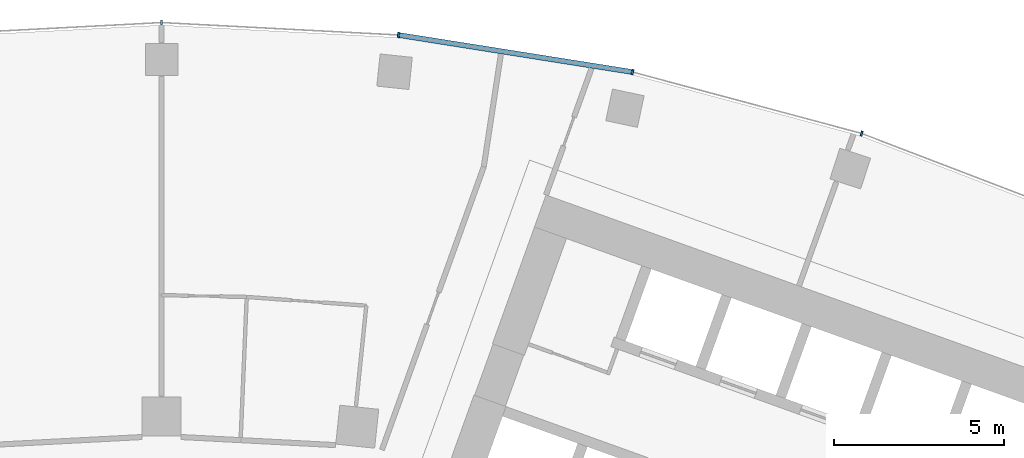
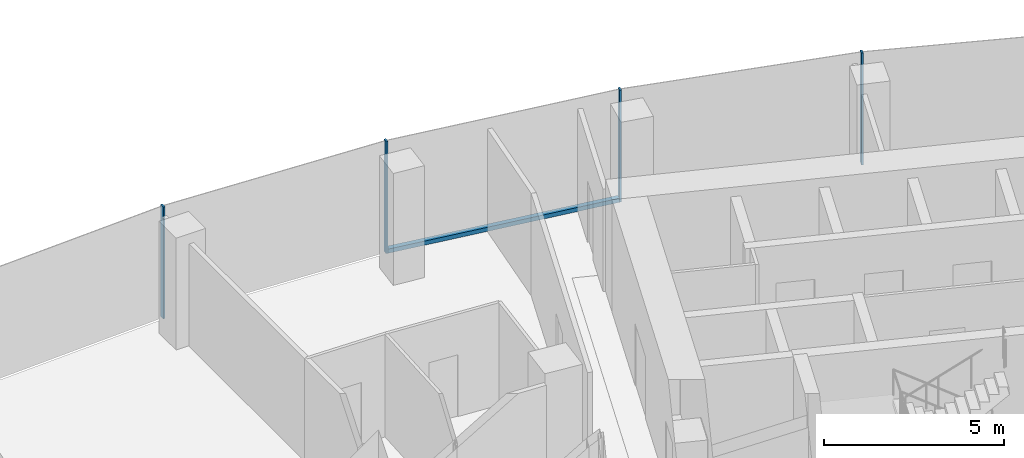
# One storey, part 6 of 18: 5 members, 1 element without a shape of its own.
"""IFC4 building model written with IfcOpenShell, lengths in metres."""

from ifc_helpers import new_model, si_unit, direction, frame, origin, origin_2d, place, context, subcontext, project, spatial, rectangle, extrude, material, layer, layer_set, material_profile, profile_set, type_object, element, aggregate, save


model = new_model("IFC4")

# Units and contexts
model_context = context("Model", 3, precision=1e-05, world=origin(), true_north=direction((0.0, 1.0)))
body_context = subcontext(model_context, "Body", "Model", "MODEL_VIEW")
ifc_project = project(units=[si_unit("LENGTHUNIT", "METRE"), si_unit("AREAUNIT", "SQUARE_METRE"), si_unit("VOLUMEUNIT", "CUBIC_METRE"), si_unit("PLANEANGLEUNIT", "RADIAN"), si_unit("MASSUNIT", "GRAM", prefix="KILO")], contexts=[model_context])

# Site, building, storey
site_placement = place(None, origin())
site = spatial("IfcSite", under=ifc_project, at=site_placement, CompositionType="ELEMENT")
building_placement = place(site_placement, origin())
building = spatial("IfcBuilding", under=site, at=building_placement, Name="Stone Belt Terrace Tower", CompositionType="ELEMENT")
storey_placement = place(building_placement, frame((0.0, 0.0, 239.0)))
storey = spatial("IfcBuildingStorey", under=building, at=storey_placement, Name="L58", CompositionType="ELEMENT", Elevation=239.0)

# Curtain wall, members
ifc_material = material(Name="Aluminium 6063-T6 anodised frame", Category="aluminium")
ifc_layer = layer(ifc_material, 0.14990234375)
ifc_layer_set = layer_set([ifc_layer], Name="CW-A unitised convex-face curtain wall")
curtain_wall_type = type_object("IfcCurtainWallType", Name="CW-A unitised convex-face curtain wall", PredefinedType="NOTDEFINED", material=ifc_layer_set)
curtain_wall_placement = place(storey_placement, origin())
curtain_wall = element("IfcCurtainWall", 1, at=curtain_wall_placement, inside=storey, type_object=curtain_wall_type, Name="CW-A convex face L58", PredefinedType="NOTDEFINED")
ifc_material_profile_1 = material_profile(ifc_material, rectangle(XDim=0.14990234375, YDim=0.06005859375, at=origin_2d()), Name="Aluminium 6063-T6 60x150")
ifc_profile_set_1 = profile_set([ifc_material_profile_1], Name="Aluminium 6063-T6 anodised frame")
member_type_1 = type_object("IfcMemberType", Name="CW-A mullion 60 x 150", PredefinedType="MULLION", material=ifc_profile_set_1)
member_1_placement = place(storey_placement, frame((20.57275390625, 63.316650390625, 0.0), z_axis=(0.0, 0.0, 1.0), x_axis=(-0.309016994375, -0.951056516295, 0.0)))
member_1 = element("IfcMember", 2, at=member_1_placement, type_object=member_type_1, Name="CW-A mullion 6", PredefinedType="MULLION", context=body_context, shape_type="SweptSolid", body=[
    extrude(rectangle(XDim=0.14990234375, YDim=0.06005859375, at=origin_2d()), origin(), (0.0, 0.0, 1.0), 3.800048828125),
])
member_2_placement = place(storey_placement, frame((13.841796875, 65.120361328125, 0.0), z_axis=(0.0, 0.0, 1.0), x_axis=(-0.207911690818, -0.978147600734, 0.0)))
member_2 = element("IfcMember", 3, at=member_2_placement, type_object=member_type_1, Name="CW-A mullion 7", PredefinedType="MULLION", context=body_context, shape_type="SweptSolid", body=[
    extrude(rectangle(XDim=0.14990234375, YDim=0.06005859375, at=origin_2d()), origin(), (0.0, 0.0, 1.0), 3.800048828125),
])
member_3_placement = place(storey_placement, frame((6.958984375, 66.21044921875, 0.0), z_axis=(0.0, 0.0, 1.0), x_axis=(-0.104528463268, -0.994521895368, 0.0)))
member_3 = element("IfcMember", 4, at=member_3_placement, type_object=member_type_1, Name="CW-A mullion 8", PredefinedType="MULLION", context=body_context, shape_type="SweptSolid", body=[
    extrude(rectangle(XDim=0.14990234375, YDim=0.06005859375, at=origin_2d()), origin(), (0.0, 0.0, 1.0), 3.800048828125),
])
member_4_placement = place(storey_placement, frame((0.0, 66.5751953125, 0.0), z_axis=(0.0, 0.0, 1.0), x_axis=(0.0, -1.0, 0.0)))
member_4 = element("IfcMember", 5, at=member_4_placement, type_object=member_type_1, Name="CW-A mullion 9", PredefinedType="MULLION", context=body_context, shape_type="SweptSolid", body=[
    extrude(rectangle(XDim=0.14990234375, YDim=0.06005859375, at=origin_2d()), origin(), (0.0, 0.0, 1.0), 3.800048828125),
])
ifc_material_profile_2 = material_profile(ifc_material, rectangle(XDim=0.14990234375, YDim=0.139892578125, at=origin_2d()), Name="Aluminium 6063-T6 150x140")
ifc_profile_set_2 = profile_set([ifc_material_profile_2], Name="Aluminium 6063-T6 anodised frame")
member_type_2 = type_object("IfcMemberType", Name="CW-A transom 140 x 150", PredefinedType="USERDEFINED", material=ifc_profile_set_2)
member_5_placement = place(storey_placement, frame((13.808349609375, 65.12548828125, 0.070068359375), z_axis=(-0.987687120531, 0.156442168027, 0.0), x_axis=(-0.156442168027, -0.987687120531, 0.0)))
member_5 = element("IfcMember", 6, at=member_5_placement, type_object=member_type_2, Name="CW-A transom 7.1", ObjectType="TRANSOM", PredefinedType="USERDEFINED", context=body_context, shape_type="SweptSolid", body=[
    extrude(rectangle(XDim=0.14990234375, YDim=0.139892578125, at=origin_2d()), origin(), (0.0, 0.0, 1.0), 6.90087890625),
])
aggregate(curtain_wall, [member_1, member_2, member_3, member_4, member_5])

save(model, "model.ifc")
